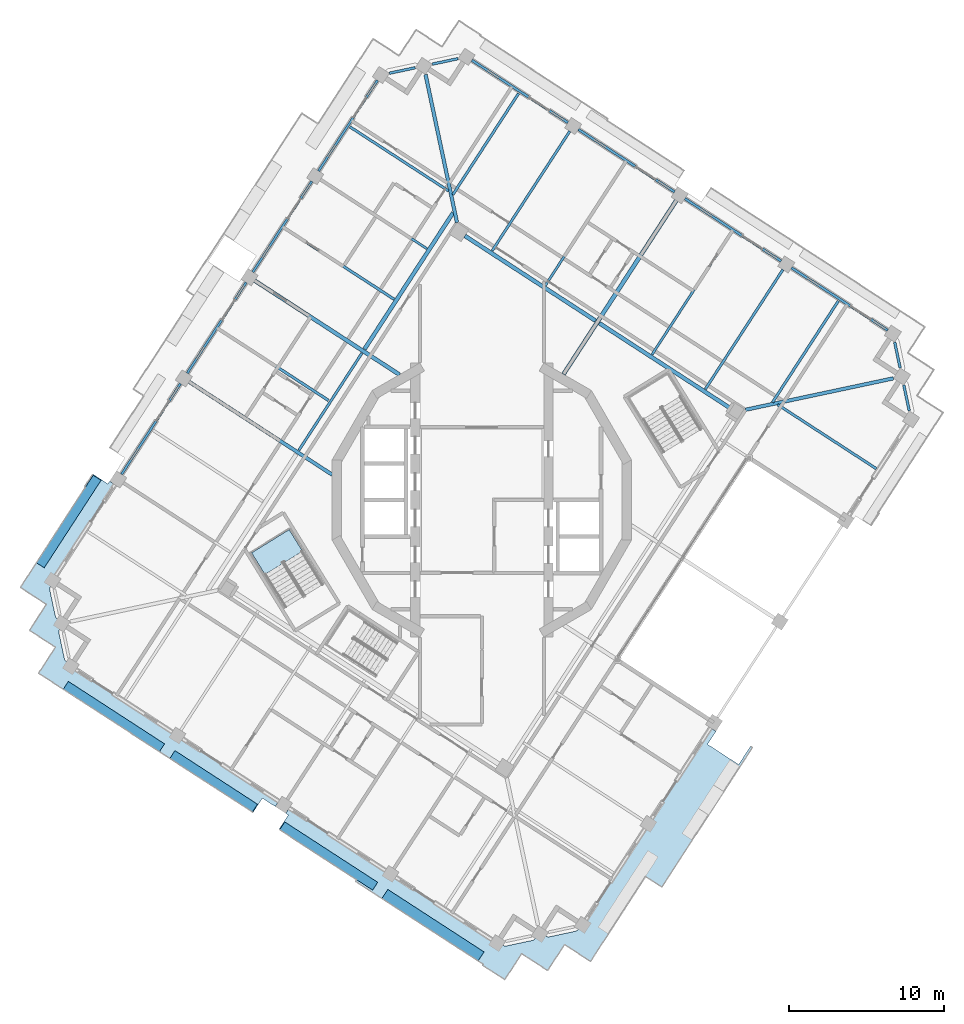
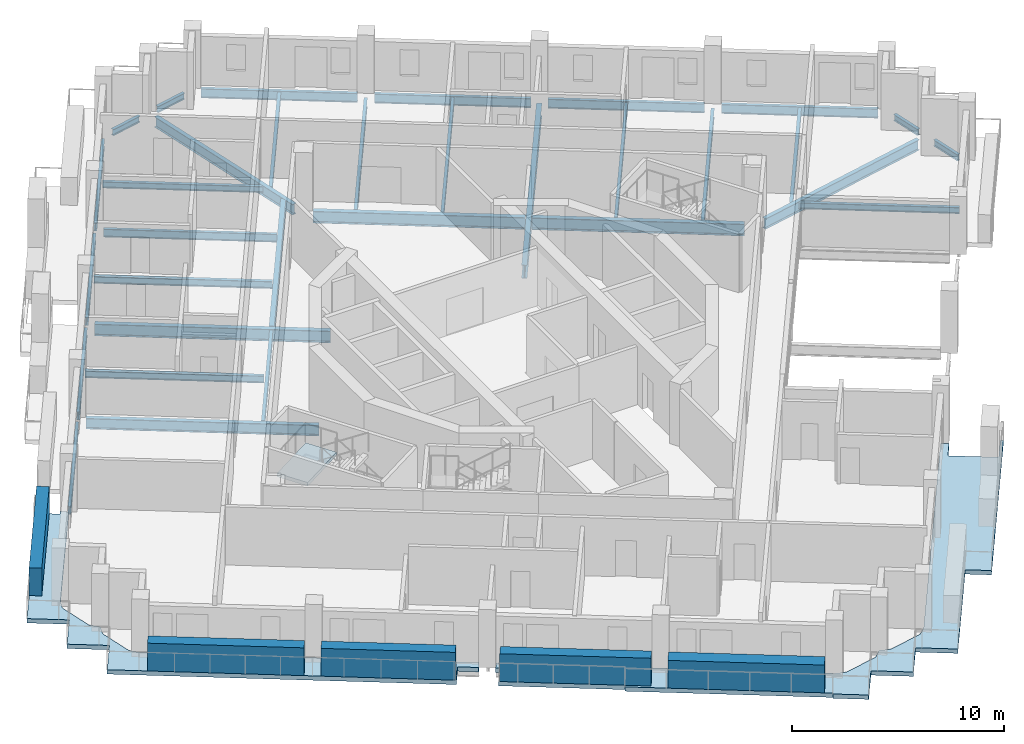
# One storey, part 3 of 17: 32 beams, 5 plates, 3 slabs, 1 element without a shape of its own.
"""IFC4 building model written with IfcOpenShell, lengths in metres."""

from ifc_helpers import new_model, si_unit, direction, frame, origin, origin_2d, place, context, subcontext, project, spatial, polyline, rectangle, i_section, outline, extrude, material, layer, layer_set, material_profile, profile_set, type_object, element, aggregate, save


model = new_model("IFC4")

# Units and contexts
model_context = context("Model", 3, precision=1e-05, world=origin(), true_north=direction((0.0, 1.0)))
body_context = subcontext(model_context, "Body", "Model", "MODEL_VIEW")
ifc_project = project(units=[si_unit("LENGTHUNIT", "METRE"), si_unit("AREAUNIT", "SQUARE_METRE"), si_unit("VOLUMEUNIT", "CUBIC_METRE"), si_unit("PLANEANGLEUNIT", "RADIAN"), si_unit("MASSUNIT", "GRAM", prefix="KILO")], contexts=[model_context])

# Site, building, storey
site_placement = place(None, origin())
site = spatial("IfcSite", under=ifc_project, at=site_placement, CompositionType="ELEMENT")
building_placement = place(site_placement, origin())
building = spatial("IfcBuilding", under=site, at=building_placement, Name="Cantera Rosa Tower", CompositionType="ELEMENT")
storey_placement = place(building_placement, frame((0.0, 0.0, 264.89990234375)))
storey = spatial("IfcBuildingStorey", under=building, at=storey_placement, Name="L59", CompositionType="ELEMENT", Elevation=264.89990234375)

# Beams
ifc_material_1 = material(Name="Steel ASTM A992 (Fy 345 MPa)", Category="steel")
ifc_material_profile_1 = material_profile(ifc_material_1, i_section(OverallWidth=0.154052734375, OverallDepth=0.4599609375, WebThickness=0.009033203125, FlangeThickness=0.015380859375, FilletRadius=0.01025390625, at=origin_2d()), Name="W460X68")
ifc_profile_set_1 = profile_set([ifc_material_profile_1], Name="Steel ASTM A992 (Fy 345 MPa)")
beam_type_1 = type_object("IfcBeamType", Name="STEEL BEAM W460X68", PredefinedType="BEAM", material=ifc_profile_set_1)
beam_1_placement = place(storey_placement, frame((-10.41748046875, 20.68017578125, -0.47998046875), z_axis=(0.838672777751, -0.544635632198, 0.0), x_axis=(0.544635632198, 0.838672777751, 0.0)))
element("IfcBeam", 1, at=beam_1_placement, inside=storey, type_object=beam_type_1, Name="G-Z5-04 L59", PredefinedType="BEAM", context=body_context, shape_type="SweptSolid", body=[
    extrude(i_section(OverallWidth=0.154052734375, OverallDepth=0.4599609375, WebThickness=0.009033203125, FlangeThickness=0.015380859375, FilletRadius=0.01025390625, at=origin_2d()), origin(), (0.0, 0.0, 1.0), 8.2001953125),
])
ifc_material_2 = material(Name="Steel ASTM A992 (Fy 345 MPa)", Category="steel")
ifc_material_profile_2 = material_profile(ifc_material_2, i_section(OverallWidth=0.166015625, OverallDepth=0.528076171875, WebThickness=0.009765625, FlangeThickness=0.013671875, FilletRadius=0.0126953125, at=origin_2d()), Name="W530X74")
ifc_profile_set_2 = profile_set([ifc_material_profile_2], Name="Steel ASTM A992 (Fy 345 MPa)")
beam_type_2 = type_object("IfcBeamType", Name="STEEL BEAM W530X74", PredefinedType="BEAM", material=ifc_profile_set_2)
beam_2_placement = place(storey_placement, frame((19.430908203125, 14.865234375, -0.513916015625), z_axis=(-0.544634776066, -0.838673333724, 0.0), x_axis=(0.838673333724, -0.544634776066, 0.0)))
element("IfcBeam", 2, at=beam_2_placement, inside=storey, type_object=beam_type_2, Name="G-Z5-01 L59", PredefinedType="BEAM", context=body_context, shape_type="SweptSolid", body=[
    extrude(i_section(OverallWidth=0.166015625, OverallDepth=0.528076171875, WebThickness=0.009765625, FlangeThickness=0.013671875, FilletRadius=0.0126953125, at=origin_2d()), origin(), (0.0, 0.0, 1.0), 9.19970703125),
])
beam_3_placement = place(storey_placement, frame((5.6767578125, 23.79736328125, -0.513916015625), z_axis=(-0.544622654601, -0.838681205283, 0.0), x_axis=(0.838681205283, -0.544622654601, 0.0)))
element("IfcBeam", 3, at=beam_3_placement, inside=storey, type_object=beam_type_2, Name="G-Z5-03 L59", PredefinedType="BEAM", context=body_context, shape_type="SweptSolid", body=[
    extrude(i_section(OverallWidth=0.166015625, OverallDepth=0.528076171875, WebThickness=0.009765625, FlangeThickness=0.013671875, FilletRadius=0.0126953125, at=origin_2d()), origin(), (0.0, 0.0, 1.0), 9.199951171875),
])
beam_4_placement = place(storey_placement, frame((-11.807373046875, 3.20849609375, -0.513916015625), z_axis=(0.544626910795, 0.838678441381, 0.0), x_axis=(-0.838678441381, 0.544626910795, 0.0)))
element("IfcBeam", 4, at=beam_4_placement, inside=storey, type_object=beam_type_2, Name="RB-Z5-02 L59", PredefinedType="BEAM", context=body_context, shape_type="SweptSolid", body=[
    extrude(i_section(OverallWidth=0.166015625, OverallDepth=0.528076171875, WebThickness=0.009765625, FlangeThickness=0.013671875, FilletRadius=0.0126953125, at=origin_2d()), origin(), (0.0, 0.0, 1.0), 7.479736328125),
])
ifc_material_3 = material(Name="Steel ASTM A992 (Fy 345 MPa)", Category="steel")
ifc_material_profile_3 = material_profile(ifc_material_3, i_section(OverallWidth=0.22802734375, OverallDepth=0.60205078125, WebThickness=0.010498046875, FlangeThickness=0.014892578125, FilletRadius=0.0126953125, at=origin_2d()), Name="W610X101")
ifc_profile_set_3 = profile_set([ifc_material_profile_3], Name="Steel ASTM A992 (Fy 345 MPa)")
beam_type_3 = type_object("IfcBeamType", Name="STEEL BEAM W610X101", PredefinedType="BEAM", material=ifc_profile_set_3)
for number, where, z_axis, x_axis, name in (
    (5, (-3.63134765625, 27.45751953125, -0.55078125), (0.20790902572, -0.978148167214, 0.0), (0.978148167214, 0.20790902572, 0.0), "CB-Z5-01 L59"),
    (6, (26.560791015625, 7.8505859375, -0.55078125), (-0.978148167214, -0.20790902572, 0.0), (0.20790902572, -0.978148167214, 0.0), "CB-Z5-04 L59"),
):
    element("IfcBeam", number, at=place(storey_placement, frame(where, z_axis=z_axis, x_axis=x_axis)), inside=storey, type_object=beam_type_3, Name=name, PredefinedType="BEAM", context=body_context, shape_type="SweptSolid", body=[
        extrude(i_section(OverallWidth=0.22802734375, OverallDepth=0.60205078125, WebThickness=0.010498046875, FlangeThickness=0.014892578125, FilletRadius=0.0126953125, at=origin_2d()), origin(), (0.0, 0.0, 1.0), 9.758056640625),
    ])
ifc_material_4 = material(Name="Steel ASTM A992 (Fy 345 MPa)", Category="steel")
ifc_material_profile_4 = material_profile(ifc_material_4, i_section(OverallWidth=0.22900390625, OverallDepth=0.612060546875, WebThickness=0.011962890625, FlangeThickness=0.01953125, FilletRadius=0.0126953125, at=origin_2d()), Name="W610X125")
ifc_profile_set_4 = profile_set([ifc_material_profile_4], Name="Steel ASTM A992 (Fy 345 MPa)")
beam_type_4 = type_object("IfcBeamType", Name="STEEL BEAM W610X125", PredefinedType="BEAM", material=ifc_profile_set_4)
beam_5_placement = place(storey_placement, frame((-18.89208984375, 7.63037109375, -0.555908203125), z_axis=(0.838673569952, -0.544634412302, 0.0), x_axis=(0.544634412302, 0.838673569952, 0.0)))
element("IfcBeam", 7, at=beam_5_placement, inside=storey, type_object=beam_type_4, Name="G-Z5-06 L59", PredefinedType="BEAM", context=body_context, shape_type="SweptSolid", body=[
    extrude(i_section(OverallWidth=0.22900390625, OverallDepth=0.612060546875, WebThickness=0.011962890625, FlangeThickness=0.01953125, FilletRadius=0.0126953125, at=origin_2d()), origin(), (0.0, 0.0, 1.0), 11.009033203125),
])
ifc_material_5 = material(Name="Steel ASTM A992 (Fy 345 MPa)", Category="steel")
ifc_material_profile_5 = material_profile(ifc_material_5, i_section(OverallWidth=0.25390625, OverallDepth=0.677978515625, WebThickness=0.01171875, FlangeThickness=0.016357421875, FilletRadius=0.01513671875, at=origin_2d()), Name="W690X125")
ifc_profile_set_5 = profile_set([ifc_material_profile_5], Name="Steel ASTM A992 (Fy 345 MPa)")
beam_type_5 = type_object("IfcBeamType", Name="STEEL BEAM W690X125", PredefinedType="BEAM", material=ifc_profile_set_5)
beam_6_placement = place(storey_placement, frame((-14.65478515625, 14.1552734375, -0.5888671875), z_axis=(0.838661833747, -0.544652484265, 0.0), x_axis=(0.544652484265, 0.838661833747, 0.0)))
element("IfcBeam", 8, at=beam_6_placement, inside=storey, type_object=beam_type_5, Name="G-Z5-05 L59", PredefinedType="BEAM", context=body_context, shape_type="SweptSolid", body=[
    extrude(i_section(OverallWidth=0.25390625, OverallDepth=0.677978515625, WebThickness=0.01171875, FlangeThickness=0.016357421875, FilletRadius=0.01513671875, at=origin_2d()), origin(), (0.0, 0.0, 1.0), 11.141357421875),
])
beam_7_placement = place(storey_placement, frame((-7.570068359375, 9.733154296875, -0.5888671875), z_axis=(0.544635575355, 0.838672814665, 0.0), x_axis=(-0.838672814665, 0.544635575355, 0.0)))
element("IfcBeam", 9, at=beam_7_placement, inside=storey, type_object=beam_type_5, Name="RB-Z5-03 L59", PredefinedType="BEAM", context=body_context, shape_type="SweptSolid", body=[
    extrude(i_section(OverallWidth=0.25390625, OverallDepth=0.677978515625, WebThickness=0.01171875, FlangeThickness=0.016357421875, FilletRadius=0.01513671875, at=origin_2d()), origin(), (0.0, 0.0, 1.0), 10.510009765625),
])
beam_8_placement = place(storey_placement, frame((16.01611328125, 5.9345703125, -0.5888671875), z_axis=(-0.838672207367, 0.544636510519, 0.0), x_axis=(-0.544636510519, -0.838672207367, 0.0)))
element("IfcBeam", 10, at=beam_8_placement, inside=storey, type_object=beam_type_5, Name="RB-Z5-07 L59", PredefinedType="BEAM", context=body_context, shape_type="SweptSolid", body=[
    extrude(i_section(OverallWidth=0.25390625, OverallDepth=0.677978515625, WebThickness=0.01171875, FlangeThickness=0.016357421875, FilletRadius=0.01513671875, at=origin_2d()), origin(), (0.0, 0.0, 1.0), 10.050048828125),
])
beam_9_placement = place(storey_placement, frame((7.335693359375, 11.571533203125, -0.5888671875), z_axis=(-0.838665001306, 0.544647606792, 0.0), x_axis=(-0.544647606792, -0.838665001306, 0.0)))
element("IfcBeam", 11, at=beam_9_placement, inside=storey, type_object=beam_type_5, Name="RB-Z5-08 L59", PredefinedType="BEAM", context=body_context, shape_type="SweptSolid", body=[
    extrude(i_section(OverallWidth=0.25390625, OverallDepth=0.677978515625, WebThickness=0.01171875, FlangeThickness=0.016357421875, FilletRadius=0.01513671875, at=origin_2d()), origin(), (0.0, 0.0, 1.0), 10.0498046875),
])
ifc_material_6 = material(Name="Steel ASTM A992 (Fy 345 MPa)", Category="steel")
ifc_material_profile_6 = material_profile(ifc_material_6, i_section(OverallWidth=0.26708984375, OverallDepth=0.75390625, WebThickness=0.01318359375, FlangeThickness=0.01708984375, FilletRadius=0.0166015625, at=origin_2d()), Name="W760X147")
ifc_profile_set_6 = profile_set([ifc_material_profile_6], Name="Steel ASTM A992 (Fy 345 MPa)")
beam_type_6 = type_object("IfcBeamType", Name="STEEL BEAM W760X147", PredefinedType="BEAM", material=ifc_profile_set_6)
beam_10_placement = place(storey_placement, frame((12.553955078125, 19.331298828125, -0.626953125), z_axis=(-0.54464061985, -0.838669538739, 0.0), x_axis=(0.838669538739, -0.54464061985, 0.0)))
element("IfcBeam", 12, at=beam_10_placement, inside=storey, type_object=beam_type_6, Name="G-Z5-02 L59", PredefinedType="BEAM", context=body_context, shape_type="SweptSolid", body=[
    extrude(i_section(OverallWidth=0.26708984375, OverallDepth=0.75390625, WebThickness=0.01318359375, FlangeThickness=0.01708984375, FilletRadius=0.0166015625, at=origin_2d()), origin(), (0.0, 0.0, 1.0), 13.37744140625),
])
ifc_material_7 = material(Name="Steel ASTM A992 (Fy 345 MPa)", Category="steel")
ifc_material_profile_7 = material_profile(ifc_material_7, i_section(OverallWidth=0.1708984375, OverallDepth=0.35595703125, WebThickness=0.00732421875, FlangeThickness=0.01171875, FilletRadius=0.010009765625, at=origin_2d()), Name="W360X51")
ifc_profile_set_7 = profile_set([ifc_material_profile_7], Name="Steel ASTM A992 (Fy 345 MPa)")
beam_type_7 = type_object("IfcBeamType", Name="STEEL JOIST W360X51", PredefinedType="JOIST", material=ifc_profile_set_7)
for number, where, z_axis, x_axis, name in (
    (13, (23.005859375, 12.842041015625, -0.427978515625), (-0.544641754757, -0.838668801718, 0.0), (0.838668801718, -0.544641754757, 0.0), "B-Z5-01 L59"),
    (14, (2.37451171875, 26.239990234375, -0.427978515625), (-0.54465605183, -0.838659516851, 0.0), (0.838659516851, -0.54465605183, 0.0), "B-Z5-04 L59"),
):
    element("IfcBeam", number, at=place(storey_placement, frame(where, z_axis=z_axis, x_axis=x_axis)), inside=storey, type_object=beam_type_7, Name=name, PredefinedType="JOIST", context=body_context, shape_type="SweptSolid", body=[
        extrude(i_section(OverallWidth=0.1708984375, OverallDepth=0.35595703125, WebThickness=0.00732421875, FlangeThickness=0.01171875, FilletRadius=0.010009765625, at=origin_2d()), origin(), (0.0, 0.0, 1.0), 7.800048828125),
    ])
beam_11_placement = place(storey_placement, frame((-8.508544921875, 24.07861328125, -0.427978515625), z_axis=(0.838670629323, -0.544638940502, 0.0), x_axis=(0.544638940502, 0.838670629323, 0.0)))
element("IfcBeam", 15, at=beam_11_placement, inside=storey, type_object=beam_type_7, Name="B-Z5-05 L59", PredefinedType="JOIST", context=body_context, shape_type="SweptSolid", body=[
    extrude(i_section(OverallWidth=0.1708984375, OverallDepth=0.35595703125, WebThickness=0.00732421875, FlangeThickness=0.01171875, FilletRadius=0.010009765625, at=origin_2d()), origin(), (0.0, 0.0, 1.0), 7.58984375),
])
beam_12_placement = place(storey_placement, frame((25.457763671875, 2.020751953125, -0.427978515625), z_axis=(-0.838680170462, 0.54462424815, 0.0), x_axis=(-0.54462424815, -0.838680170462, 0.0)))
element("IfcBeam", 16, at=beam_12_placement, inside=storey, type_object=beam_type_7, Name="B-Z5-14 L59", PredefinedType="JOIST", context=body_context, shape_type="SweptSolid", body=[
    extrude(i_section(OverallWidth=0.1708984375, OverallDepth=0.35595703125, WebThickness=0.00732421875, FlangeThickness=0.01171875, FilletRadius=0.010009765625, at=origin_2d()), origin(), (0.0, 0.0, 1.0), 7.590087890625),
])
ifc_material_8 = material(Name="Steel ASTM A992 (Fy 345 MPa)", Category="steel")
ifc_material_profile_8 = material_profile(ifc_material_8, i_section(OverallWidth=0.177978515625, OverallDepth=0.406005859375, WebThickness=0.0078125, FlangeThickness=0.0126953125, FilletRadius=0.01025390625, at=origin_2d()), Name="W410X60")
ifc_profile_set_8 = profile_set([ifc_material_profile_8], Name="Steel ASTM A992 (Fy 345 MPa)")
beam_type_8 = type_object("IfcBeamType", Name="STEEL JOIST W410X60", PredefinedType="JOIST", material=ifc_profile_set_8)
beam_13_placement = place(storey_placement, frame((-12.745849609375, 17.5537109375, -0.452880859375), z_axis=(0.838683812595, -0.5446186395, 0.0), x_axis=(0.5446186395, 0.838683812595, 0.0)))
element("IfcBeam", 17, at=beam_13_placement, inside=storey, type_object=beam_type_8, Name="B-Z5-06 L59", PredefinedType="JOIST", context=body_context, shape_type="SweptSolid", body=[
    extrude(i_section(OverallWidth=0.177978515625, OverallDepth=0.406005859375, WebThickness=0.0078125, FlangeThickness=0.0126953125, FilletRadius=0.01025390625, at=origin_2d()), origin(), (0.0, 0.0, 1.0), 8.449951171875),
])
beam_14_placement = place(storey_placement, frame((-16.983154296875, 11.029052734375, -0.452880859375), z_axis=(0.838670615657, -0.544638961546, 0.0), x_axis=(0.544638961546, 0.838670615657, 0.0)))
element("IfcBeam", 18, at=beam_14_placement, inside=storey, type_object=beam_type_8, Name="B-Z5-07 L59", PredefinedType="JOIST", context=body_context, shape_type="SweptSolid", body=[
    extrude(i_section(OverallWidth=0.177978515625, OverallDepth=0.406005859375, WebThickness=0.0078125, FlangeThickness=0.0126953125, FilletRadius=0.01025390625, at=origin_2d()), origin(), (0.0, 0.0, 1.0), 8.4501953125),
])
ifc_material_9 = material(Name="Steel ASTM A992 (Fy 345 MPa)", Category="steel")
ifc_material_profile_9 = material_profile(ifc_material_9, i_section(OverallWidth=0.154052734375, OverallDepth=0.4599609375, WebThickness=0.009033203125, FlangeThickness=0.015380859375, FilletRadius=0.01025390625, at=origin_2d()), Name="W460X68")
ifc_profile_set_9 = profile_set([ifc_material_profile_9], Name="Steel ASTM A992 (Fy 345 MPa)")
beam_type_9 = type_object("IfcBeamType", Name="STEEL JOIST W460X68", PredefinedType="JOIST", material=ifc_profile_set_9)
beam_15_placement = place(storey_placement, frame((16.128662109375, 17.30810546875, -0.47998046875), z_axis=(-0.544644146603, -0.838667248419, 0.0), x_axis=(0.838667248419, -0.544644146603, 0.0)))
element("IfcBeam", 19, at=beam_15_placement, inside=storey, type_object=beam_type_9, Name="B-Z5-02 L59", PredefinedType="JOIST", context=body_context, shape_type="SweptSolid", body=[
    extrude(i_section(OverallWidth=0.154052734375, OverallDepth=0.4599609375, WebThickness=0.009033203125, FlangeThickness=0.015380859375, FilletRadius=0.01025390625, at=origin_2d()), origin(), (0.0, 0.0, 1.0), 9.4501953125),
])
beam_16_placement = place(storey_placement, frame((9.25146484375, 21.77392578125, -0.47998046875), z_axis=(-0.544637775879, -0.838671385636, 0.0), x_axis=(0.838671385636, -0.544637775879, 0.0)))
element("IfcBeam", 20, at=beam_16_placement, inside=storey, type_object=beam_type_9, Name="B-Z5-03 L59", PredefinedType="JOIST", context=body_context, shape_type="SweptSolid", body=[
    extrude(i_section(OverallWidth=0.154052734375, OverallDepth=0.4599609375, WebThickness=0.009033203125, FlangeThickness=0.015380859375, FilletRadius=0.01025390625, at=origin_2d()), origin(), (0.0, 0.0, 1.0), 9.44970703125),
])
ifc_material_10 = material(Name="Steel ASTM A992 (Fy 345 MPa)", Category="steel")
ifc_material_profile_10 = material_profile(ifc_material_10, i_section(OverallWidth=0.1708984375, OverallDepth=0.35595703125, WebThickness=0.00732421875, FlangeThickness=0.01171875, FilletRadius=0.010009765625, at=origin_2d()), Name="W360X51")
ifc_profile_set_10 = profile_set([ifc_material_profile_10], Name="Steel ASTM A992 (Fy 345 MPa)")
beam_type_10 = type_object("IfcBeamType", Name="STEEL SPANDREL BEAM W360X51", PredefinedType="SPANDREL", material=ifc_profile_set_10)
for number, where, z_axis, x_axis, name in (
    (21, (-1.53564453125, 28.481201171875, -0.427978515625), (-0.978158850918, -0.20785875582, 0.0), (0.20785875582, -0.978158850918, 0.0), "EB-Z5-05 L59"),
    (22, (-4.30224609375, 27.893310546875, -0.427978515625), (-0.978129595322, -0.207996381593, 0.0), (0.207996381593, -0.978129595322, 0.0), "EB-Z5-06 L59"),
):
    element("IfcBeam", number, at=place(storey_placement, frame(where, z_axis=z_axis, x_axis=x_axis)), inside=storey, type_object=beam_type_10, Name=name, PredefinedType="SPANDREL", context=body_context, shape_type="SweptSolid", body=[
        extrude(i_section(OverallWidth=0.1708984375, OverallDepth=0.35595703125, WebThickness=0.00732421875, FlangeThickness=0.01171875, FilletRadius=0.010009765625, at=origin_2d()), origin(), (0.0, 0.0, 1.0), 1.697265625),
    ])
for number, where, z_axis, x_axis, name in (
    (23, (27.58447265625, 5.7548828125, -0.427978515625), (-0.207888006632, 0.978152634663, 0.0), (-0.978152634663, -0.207888006632, 0.0), "EB-Z5-25 L59"),
    (24, (26.996337890625, 8.521484375, -0.427978515625), (-0.207888006632, 0.978152634663, 0.0), (-0.978152634663, -0.207888006632, 0.0), "EB-Z5-26 L59"),
):
    element("IfcBeam", number, at=place(storey_placement, frame(where, z_axis=z_axis, x_axis=x_axis)), inside=storey, type_object=beam_type_10, Name=name, PredefinedType="SPANDREL", context=body_context, shape_type="SweptSolid", body=[
        extrude(i_section(OverallWidth=0.1708984375, OverallDepth=0.35595703125, WebThickness=0.00732421875, FlangeThickness=0.01171875, FilletRadius=0.010009765625, at=origin_2d()), origin(), (0.0, 0.0, 1.0), 1.697021484375),
    ])
ifc_material_11 = material(Name="Steel ASTM A992 (Fy 345 MPa)", Category="steel")
ifc_material_profile_11 = material_profile(ifc_material_11, i_section(OverallWidth=0.154052734375, OverallDepth=0.4599609375, WebThickness=0.009033203125, FlangeThickness=0.015380859375, FilletRadius=0.01025390625, at=origin_2d()), Name="W460X68")
ifc_profile_set_11 = profile_set([ifc_material_profile_11], Name="Steel ASTM A992 (Fy 345 MPa)")
beam_type_11 = type_object("IfcBeamType", Name="STEEL SPANDREL BEAM W460X68", PredefinedType="SPANDREL", material=ifc_profile_set_11)
for number, where, z_axis, x_axis, name in (
    (25, (-6.7333984375, 27.08740234375, -0.47998046875), (-0.544651451949, -0.838662504164, 0.0), (0.838662504164, -0.544651451949, 0.0), "EB-Z5-07 L59"),
    (26, (-10.970703125, 20.5625, -0.47998046875), (-0.544651451949, -0.838662504164, 0.0), (0.838662504164, -0.544651451949, 0.0), "EB-Z5-08 L59"),
    (27, (-15.2080078125, 14.03759765625, -0.47998046875), (-0.544651451949, -0.838662504164, 0.0), (0.838662504164, -0.544651451949, 0.0), "EB-Z5-09 L59"),
):
    element("IfcBeam", number, at=place(storey_placement, frame(where, z_axis=z_axis, x_axis=x_axis)), inside=storey, type_object=beam_type_11, Name=name, PredefinedType="SPANDREL", context=body_context, shape_type="SweptSolid", body=[
        extrude(i_section(OverallWidth=0.154052734375, OverallDepth=0.4599609375, WebThickness=0.009033203125, FlangeThickness=0.015380859375, FilletRadius=0.01025390625, at=origin_2d()), origin(), (0.0, 0.0, 1.0), 6.980224609375),
    ])
beam_17_placement = place(storey_placement, frame((-19.4453125, 7.5126953125, -0.47998046875), z_axis=(-0.544667428764, -0.838652128146, 0.0), x_axis=(0.838652128146, -0.544667428764, 0.0)))
element("IfcBeam", 28, at=beam_17_placement, inside=storey, type_object=beam_type_11, Name="EB-Z5-10 L59", PredefinedType="SPANDREL", context=body_context, shape_type="SweptSolid", body=[
    extrude(i_section(OverallWidth=0.154052734375, OverallDepth=0.4599609375, WebThickness=0.009033203125, FlangeThickness=0.015380859375, FilletRadius=0.01025390625, at=origin_2d()), origin(), (0.0, 0.0, 1.0), 6.97998046875),
])
ifc_material_12 = material(Name="Steel ASTM A992 (Fy 345 MPa)", Category="steel")
ifc_material_profile_12 = material_profile(ifc_material_12, i_section(OverallWidth=0.166015625, OverallDepth=0.528076171875, WebThickness=0.009765625, FlangeThickness=0.013671875, FilletRadius=0.0126953125, at=origin_2d()), Name="W530X74")
ifc_profile_set_12 = profile_set([ifc_material_profile_12], Name="Steel ASTM A992 (Fy 345 MPa)")
beam_type_12 = type_object("IfcBeamType", Name="STEEL SPANDREL BEAM W530X74", PredefinedType="SPANDREL", material=ifc_profile_set_12)
beam_18_placement = place(storey_placement, frame((26.1904296875, 10.95263671875, -0.513916015625), z_axis=(-0.838669679097, 0.544640403719, 0.0), x_axis=(-0.544640403719, -0.838669679097, 0.0)))
element("IfcBeam", 29, at=beam_18_placement, inside=storey, type_object=beam_type_12, Name="EB-Z5-01 L59", PredefinedType="SPANDREL", context=body_context, shape_type="SweptSolid", body=[
    extrude(i_section(OverallWidth=0.166015625, OverallDepth=0.528076171875, WebThickness=0.009765625, FlangeThickness=0.013671875, FilletRadius=0.0126953125, at=origin_2d()), origin(), (0.0, 0.0, 1.0), 7.39990234375),
])
beam_19_placement = place(storey_placement, frame((19.3134765625, 15.418701171875, -0.513916015625), z_axis=(-0.838679465365, 0.544625333946, 0.0), x_axis=(-0.544625333946, -0.838679465365, 0.0)))
element("IfcBeam", 30, at=beam_19_placement, inside=storey, type_object=beam_type_12, Name="EB-Z5-02 L59", PredefinedType="SPANDREL", context=body_context, shape_type="SweptSolid", body=[
    extrude(i_section(OverallWidth=0.166015625, OverallDepth=0.528076171875, WebThickness=0.009765625, FlangeThickness=0.013671875, FilletRadius=0.0126953125, at=origin_2d()), origin(), (0.0, 0.0, 1.0), 7.400146484375),
])
beam_20_placement = place(storey_placement, frame((12.436279296875, 19.884765625, -0.513916015625), z_axis=(-0.838669679097, 0.544640403719, 0.0), x_axis=(-0.544640403719, -0.838669679097, 0.0)))
element("IfcBeam", 31, at=beam_20_placement, inside=storey, type_object=beam_type_12, Name="EB-Z5-03 L59", PredefinedType="SPANDREL", context=body_context, shape_type="SweptSolid", body=[
    extrude(i_section(OverallWidth=0.166015625, OverallDepth=0.528076171875, WebThickness=0.009765625, FlangeThickness=0.013671875, FilletRadius=0.0126953125, at=origin_2d()), origin(), (0.0, 0.0, 1.0), 7.39990234375),
])
beam_21_placement = place(storey_placement, frame((5.559326171875, 24.350830078125, -0.513916015625), z_axis=(-0.838679465365, 0.544625333946, 0.0), x_axis=(-0.544625333946, -0.838679465365, 0.0)))
element("IfcBeam", 32, at=beam_21_placement, inside=storey, type_object=beam_type_12, Name="EB-Z5-04 L59", PredefinedType="SPANDREL", context=body_context, shape_type="SweptSolid", body=[
    extrude(i_section(OverallWidth=0.166015625, OverallDepth=0.528076171875, WebThickness=0.009765625, FlangeThickness=0.013671875, FilletRadius=0.0126953125, at=origin_2d()), origin(), (0.0, 0.0, 1.0), 7.400146484375),
])

# Slabs
ifc_material_13 = material(Name="Concrete C35/45", Category="concrete")
ifc_layer_1 = layer(ifc_material_13, 0.25)
ifc_layer_set_1 = layer_set([ifc_layer_1], Name="LOGGIA SLAB 250 C35/45")
slab_type_1 = type_object("IfcSlabType", Name="LOGGIA SLAB 250 C35/45", PredefinedType="FLOOR", material=ifc_layer_set_1)
slab_1_placement = place(storey_placement, frame((0.0, 0.0, -0.25)))
element("IfcSlab", 33, at=slab_1_placement, inside=storey, type_object=slab_type_1, Name="LOGGIA SLAB L59 1", PredefinedType="FLOOR", context=body_context, shape_type="SweptSolid", body=[
    extrude(outline(polyline([(-21.723876953125, -15.641845703125), (-27.343017578125, -11.992919921875), (-28.600830078125, -11.17578125), (-27.783935546875, -9.917724609375), (-27.51171875, -9.49853515625), (-27.930908203125, -9.22607421875), (-29.18896484375, -8.4091796875), (-28.3720703125, -7.151123046875), (-28.099609375, -6.731689453125), (-28.51904296875, -6.45947265625), (-29.777099609375, -5.642578125), (-28.960205078125, -4.384521484375), (-25.57861328125, 0.822509765625), (-25.638671875, 0.861328125), (-25.109619140625, 1.676025390625), (-24.127197265625, 1.0380859375), (-24.01806640625, 1.205810546875), (-23.6826171875, 0.98779296875), (-27.13330078125, -4.32568359375), (-27.7021484375, -5.201416015625), (-27.863037109375, -5.643798828125), (-27.872802734375, -5.67138671875), (-27.87939453125, -5.7001953125), (-27.88330078125, -5.729248046875), (-27.884521484375, -5.7587890625), (-27.882568359375, -5.7880859375), (-27.8779296875, -5.817138671875), (-27.525146484375, -7.477294921875), (-27.517578125, -7.505615234375), (-27.50732421875, -7.533203125), (-27.494384765625, -7.559814453125), (-27.47900390625, -7.584716796875), (-27.461181640625, -7.608154296875), (-27.44091796875, -7.629638671875), (-27.114013671875, -7.968017578125), (-27.275146484375, -8.410400390625), (-27.28466796875, -8.43798828125), (-27.29150390625, -8.466796875), (-27.29541015625, -8.49609375), (-27.29638671875, -8.525390625), (-27.294677734375, -8.5546875), (-27.289794921875, -8.583740234375), (-26.93701171875, -10.243896484375), (-26.929443359375, -10.272216796875), (-26.919189453125, -10.2998046875), (-26.90625, -10.326416015625), (-26.890869140625, -10.351318359375), (-26.873046875, -10.374755859375), (-26.852783203125, -10.396240234375), (-26.52587890625, -10.734619140625), (-25.650146484375, -11.303466796875), (-13.107421875, -19.448974609375), (-13.3251953125, -19.784423828125), (-14.163818359375, -19.23974609375), (-14.762939453125, -20.162353515625), (-14.8466796875, -20.10791015625), (-19.207763671875, -17.275634765625), (-21.723876953125, -15.641845703125)])), origin(), (0.0, 0.0, 1.0), 0.25),
])
slab_2_placement = place(storey_placement, frame((0.0, 0.0, -0.25)))
element("IfcSlab", 34, at=slab_2_placement, inside=storey, type_object=slab_type_1, Name="LOGGIA SLAB L59 3", PredefinedType="FLOOR", context=body_context, shape_type="SweptSolid", body=[
    extrude(outline(polyline([(7.94140625, -28.3486328125), (7.015380859375, -29.7744140625), (5.58984375, -28.848388671875), (5.338134765625, -28.68505859375), (5.1748046875, -28.936767578125), (4.248779296875, -30.362548828125), (2.822998046875, -29.4365234375), (2.571533203125, -29.273193359375), (1.482421875, -30.950439453125), (0.056396484375, -30.024658203125), (0.0947265625, -29.9658203125), (-8.1494140625, -24.612060546875), (-8.07861328125, -24.503173828125), (-12.330810546875, -21.74169921875), (-13.08544921875, -21.251708984375), (-12.486328125, -20.3291015625), (-12.654296875, -20.22021484375), (-12.436279296875, -19.884765625), (0.106689453125, -28.030029296875), (0.982421875, -28.598876953125), (1.424560546875, -28.760009765625), (1.452392578125, -28.76953125), (1.481201171875, -28.7763671875), (1.51025390625, -28.7802734375), (1.539794921875, -28.78125), (1.569091796875, -28.779296875), (1.59814453125, -28.774658203125), (3.258056640625, -28.421875), (3.28662109375, -28.414306640625), (3.314208984375, -28.404052734375), (3.340576171875, -28.39111328125), (3.365478515625, -28.375732421875), (3.388916015625, -28.35791015625), (3.41064453125, -28.337890625), (3.7490234375, -28.0107421875), (4.191162109375, -28.171875), (4.218994140625, -28.181396484375), (4.247802734375, -28.188232421875), (4.27685546875, -28.192138671875), (4.306396484375, -28.193115234375), (4.335693359375, -28.19140625), (4.36474609375, -28.186767578125), (6.024658203125, -27.833740234375), (6.05322265625, -27.826416015625), (6.080810546875, -27.81591796875), (6.107177734375, -27.802978515625), (6.132080078125, -27.78759765625), (6.15576171875, -27.769775390625), (6.17724609375, -27.749755859375), (6.515625, -27.4228515625), (7.08447265625, -26.547119140625), (14.7724609375, -14.70849609375), (15.10791015625, -14.926513671875), (14.563232421875, -15.76513671875), (16.575927734375, -17.072265625), (17.33837890625, -15.898193359375), (17.462890625, -15.978759765625), (11.619873046875, -24.976318359375), (10.572998046875, -24.29638671875), (7.94140625, -28.3486328125)])), origin(), (0.0, 0.0, 1.0), 0.25),
])

# Plates
ifc_material_14 = material(Name="Cantera stone planter with soil", Category="masonry")
plate_type_1 = type_object("IfcPlateType", Name="PLANTER 600", PredefinedType="USERDEFINED", material=ifc_material_14)
plate_1_placement = place(storey_placement, frame((-26.657958984375, -1.390380859375, 0.0), z_axis=(0.0, 0.0, 1.0), x_axis=(-0.544639035015, -0.838670567945, 0.0)))
element("IfcPlate", 35, at=plate_1_placement, inside=storey, type_object=plate_type_1, Name="PLANTER L59-09", ObjectType="PLANTER", PredefinedType="USERDEFINED", context=body_context, shape_type="SweptSolid", body=[
    extrude(rectangle(XDim=6.72998046875, YDim=0.60009765625, at=origin_2d()), origin(), (0.0, 0.0, 1.0), 1.60009765625),
])
plate_2_placement = place(storey_placement, frame((-23.740966796875, -13.97412109375, 0.0), z_axis=(0.0, 0.0, 1.0), x_axis=(0.838670567945, -0.544639035015, 0.0)))
element("IfcPlate", 36, at=plate_2_placement, inside=storey, type_object=plate_type_1, Name="PLANTER L59-10", ObjectType="PLANTER", PredefinedType="USERDEFINED", context=body_context, shape_type="SweptSolid", body=[
    extrude(rectangle(XDim=7.39990234375, YDim=0.60009765625, at=origin_2d()), origin(), (0.0, 0.0, 1.0), 1.60009765625),
])
plate_3_placement = place(storey_placement, frame((-17.30419921875, -18.154296875, 0.0), z_axis=(0.0, 0.0, 1.0), x_axis=(0.838670567945, -0.544639035015, 0.0)))
element("IfcPlate", 37, at=plate_3_placement, inside=storey, type_object=plate_type_1, Name="PLANTER L59-11", ObjectType="PLANTER", PredefinedType="USERDEFINED", context=body_context, shape_type="SweptSolid", body=[
    extrude(rectangle(XDim=6.35009765625, YDim=0.60009765625, at=origin_2d()), origin(), (0.0, 0.0, 1.0), 1.60009765625),
])
plate_4_placement = place(storey_placement, frame((-9.882080078125, -22.974365234375, 0.0), z_axis=(0.0, 0.0, 1.0), x_axis=(0.838670567945, -0.544639035015, 0.0)))
element("IfcPlate", 38, at=plate_4_placement, inside=storey, type_object=plate_type_1, Name="PLANTER L59-12", ObjectType="PLANTER", PredefinedType="USERDEFINED", context=body_context, shape_type="SweptSolid", body=[
    extrude(rectangle(XDim=7.14990234375, YDim=0.60009765625, at=origin_2d()), origin(), (0.0, 0.0, 1.0), 1.60009765625),
])
ifc_material_15 = material(Name="Cantera stone planter with soil", Category="masonry")
plate_type_2 = type_object("IfcPlateType", Name="PLANTER 700", PredefinedType="USERDEFINED", material=ifc_material_15)
plate_5_placement = place(storey_placement, frame((-3.1533203125, -27.439453125, 0.0), z_axis=(0.0, 0.0, 1.0), x_axis=(0.838670567945, -0.544639035015, 0.0)))
element("IfcPlate", 39, at=plate_5_placement, inside=storey, type_object=plate_type_2, Name="PLANTER L59-13", ObjectType="PLANTER", PredefinedType="USERDEFINED", context=body_context, shape_type="SweptSolid", body=[
    extrude(rectangle(XDim=7.39990234375, YDim=0.699951171875, at=origin_2d()), origin(), (0.0, 0.0, 1.0), 1.60009765625),
])

# Stair, slab
ifc_material_16 = material(Name="Concrete C35/45", Category="concrete")
stair_type = type_object("IfcStairType", Name="EXIT STAIR 1350 DOGLEG", PredefinedType="HALF_TURN_STAIR", material=ifc_material_16)
stair_placement = place(storey_placement, origin())
stair = element("IfcStair", 40, at=stair_placement, inside=storey, type_object=stair_type, Name="L59 ST-52", PredefinedType="HALF_TURN_STAIR")
ifc_material_17 = material(Name="Concrete C35/45", Category="concrete")
ifc_layer_2 = layer(ifc_material_17, 0.199951171875)
ifc_layer_set_2 = layer_set([ifc_layer_2], Name="STAIR LANDING 200")
slab_type_2 = type_object("IfcSlabType", Name="STAIR LANDING 200", PredefinedType="LANDING", material=ifc_layer_set_2)
slab_3_placement = place(storey_placement, frame((0.0, 0.0, 1.60009765625)))
slab_3 = element("IfcSlab", 41, at=slab_3_placement, type_object=slab_type_2, Name="ST-52 landing 1", PredefinedType="LANDING", context=body_context, shape_type="SweptSolid", body=[
    extrude(outline(polyline([(-11.56884765625, -3.308837890625), (-12.430908203125, -1.911376953125), (-14.8564453125, -3.407470703125), (-13.99462890625, -4.80517578125), (-11.56884765625, -3.308837890625)])), origin(), (0.0, 0.0, 1.0), 0.199951171875),
])
aggregate(stair, [slab_3])

save(model, "model.ifc")
